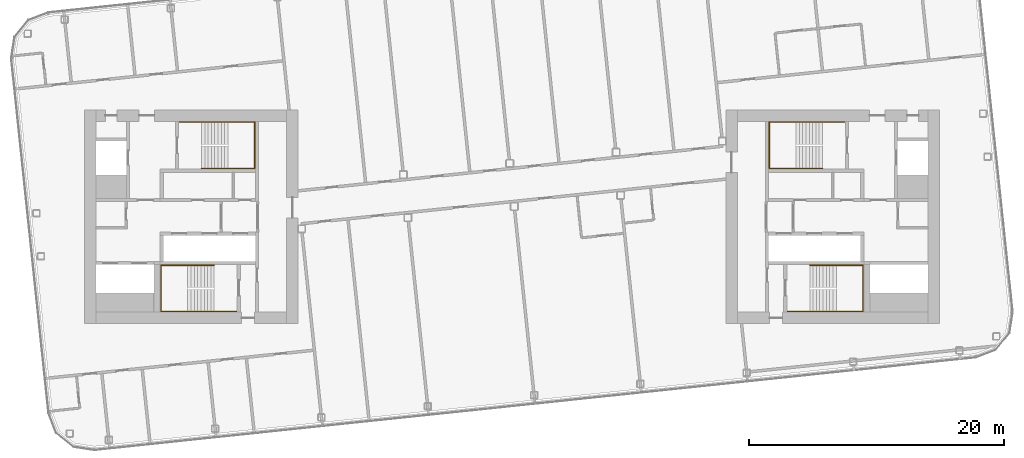
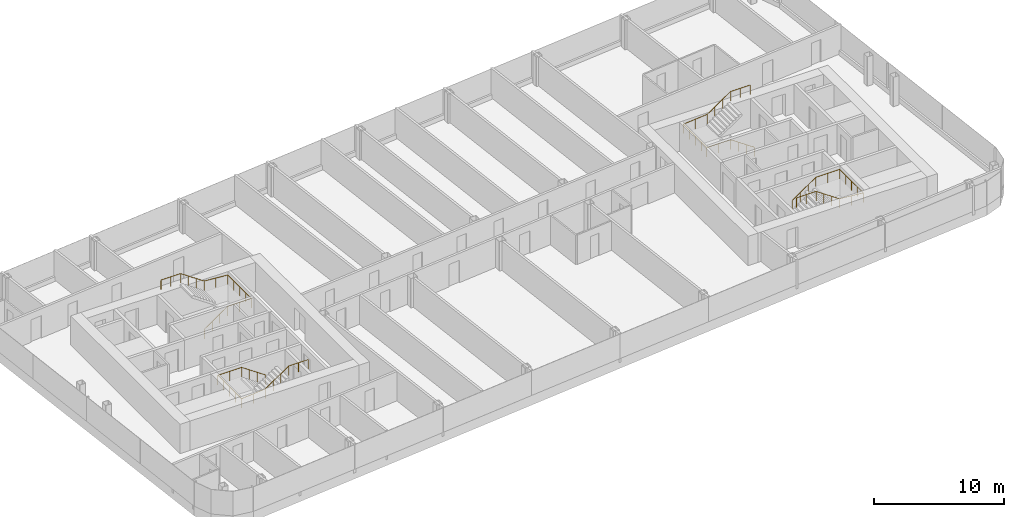
# One storey, part 27 of 27: 4 railings.
"""IFC4 building model written with IfcOpenShell, lengths in metres."""

from ifc_helpers import new_model, si_unit, direction, frame, origin, origin_2d, place, context, subcontext, project, spatial, circle, extrude, material, type_object, element, save


model = new_model("IFC4")

# Units and contexts
model_context = context("Model", 3, precision=1e-05, world=origin(), true_north=direction((0.0, 1.0)))
body_context = subcontext(model_context, "Body", "Model", "MODEL_VIEW")
ifc_project = project(units=[si_unit("LENGTHUNIT", "METRE"), si_unit("AREAUNIT", "SQUARE_METRE"), si_unit("VOLUMEUNIT", "CUBIC_METRE"), si_unit("PLANEANGLEUNIT", "RADIAN"), si_unit("MASSUNIT", "GRAM", prefix="KILO")], contexts=[model_context])

# Site, building, storey
site_placement = place(None, origin())
site = spatial("IfcSite", under=ifc_project, at=site_placement, CompositionType="ELEMENT")
building_placement = place(site_placement, origin())
building = spatial("IfcBuilding", under=site, at=building_placement, Name="Hakoniwa Tower and Hamabe Station Hall", CompositionType="ELEMENT")
storey_placement = place(building_placement, frame((0.0, 0.0, 239.0)))
storey = spatial("IfcBuildingStorey", under=building, at=storey_placement, Name="L67", CompositionType="ELEMENT", Elevation=239.0)

# Railings
ifc_material = material(Name="Stainless steel SUS304", Category="steel")
railing_type = type_object("IfcRailingType", Name="STAIR HANDRAIL 900", PredefinedType="HANDRAIL", material=ifc_material)
railing_1_placement = place(storey_placement, frame((-24.39990234375, 3.81005859375, 0.177734375)))
element("IfcRailing", 1, at=railing_1_placement, inside=storey, type_object=railing_type, Name="Handrail ST-1 L67 1", PredefinedType="HANDRAIL", context=body_context, shape_type="SweptSolid", body=[
    extrude(circle(Radius=0.02392578125, at=origin_2d()), frame((0.0, 0.0, 0.8759765625), z_axis=(0.825433201882, 0.0, 0.564499804456), x_axis=(0.0, 1.0, 0.0)), (0.0, 0.0, 1.0), 2.519775390625),
    extrude(circle(Radius=0.02392578125, at=origin_2d()), frame((2.079833984375, 0.0, 2.29833984375), z_axis=(1.0, 0.0, 0.0), x_axis=(0.0, 1.0, 0.0)), (0.0, 0.0, 1.0), 2.110107421875),
    extrude(circle(Radius=0.02392578125, at=origin_2d()), frame((4.18994140625, 0.0, 2.29833984375), z_axis=(0.0, 1.0, 0.0), x_axis=(-1.0, 0.0, 0.0)), (0.0, 0.0, 1.0), 3.6298828125),
    extrude(circle(Radius=0.02392578125, at=origin_2d()), frame((4.18994140625, 3.6298828125, 2.29833984375), z_axis=(-0.996471417081, 0.0, 0.083932800143), x_axis=(0.0, -1.0, 0.0)), (0.0, 0.0, 1.0), 2.11767578125),
    extrude(circle(Radius=0.02392578125, at=origin_2d()), frame((2.079833984375, 3.6298828125, 2.47607421875), z_axis=(-0.825478349766, 0.0, 0.564433781827), x_axis=(0.0, -1.0, 0.0)), (0.0, 0.0, 1.0), 2.51953125),
    extrude(circle(Radius=0.02392578125, at=origin_2d()), frame((0.0, 3.6298828125, 3.89794921875), z_axis=(-1.0, 0.0, 0.0), x_axis=(0.0, -1.0, 0.0)), (0.0, 0.0, 1.0), 1.739990234375),
    extrude(circle(Radius=0.02099609375, at=origin_2d()), origin(), (0.0, 0.0, 1.0), 0.851806640625),
    extrude(circle(Radius=0.02099609375, at=origin_2d()), frame((0.693359375, 0.0, 0.47412109375)), (0.0, 0.0, 1.0), 0.851806640625),
    extrude(circle(Radius=0.02099609375, at=origin_2d()), frame((1.386474609375, 0.0, 0.9482421875)), (0.0, 0.0, 1.0), 0.851806640625),
    extrude(circle(Radius=0.02099609375, at=origin_2d()), frame((2.079833984375, 0.0, 1.42236328125)), (0.0, 0.0, 1.0), 0.851806640625),
    extrude(circle(Radius=0.02099609375, at=origin_2d()), frame((3.134765625, 0.0, 1.42236328125)), (0.0, 0.0, 1.0), 0.851806640625),
    extrude(circle(Radius=0.02099609375, at=origin_2d()), frame((4.18994140625, 0.0, 1.42236328125)), (0.0, 0.0, 1.0), 0.851806640625),
    extrude(circle(Radius=0.02099609375, at=origin_2d()), frame((4.18994140625, 0.907470703125, 1.42236328125)), (0.0, 0.0, 1.0), 0.851806640625),
    extrude(circle(Radius=0.02099609375, at=origin_2d()), frame((4.18994140625, 1.81494140625, 1.42236328125)), (0.0, 0.0, 1.0), 0.851806640625),
    extrude(circle(Radius=0.02099609375, at=origin_2d()), frame((4.18994140625, 2.722412109375, 1.42236328125)), (0.0, 0.0, 1.0), 0.851806640625),
    extrude(circle(Radius=0.02099609375, at=origin_2d()), frame((4.18994140625, 3.6298828125, 1.42236328125)), (0.0, 0.0, 1.0), 0.851806640625),
    extrude(circle(Radius=0.02099609375, at=origin_2d()), frame((3.134765625, 3.6298828125, 1.51123046875)), (0.0, 0.0, 1.0), 0.851806640625),
    extrude(circle(Radius=0.02099609375, at=origin_2d()), frame((2.079833984375, 3.6298828125, 1.60009765625)), (0.0, 0.0, 1.0), 0.851806640625),
    extrude(circle(Radius=0.02099609375, at=origin_2d()), frame((1.386474609375, 3.6298828125, 2.07421875)), (0.0, 0.0, 1.0), 0.851806640625),
    extrude(circle(Radius=0.02099609375, at=origin_2d()), frame((0.693359375, 3.6298828125, 2.548095703125)), (0.0, 0.0, 1.0), 0.851806640625),
    extrude(circle(Radius=0.02099609375, at=origin_2d()), frame((0.0, 3.6298828125, 3.022216796875)), (0.0, 0.0, 1.0), 0.851806640625),
    extrude(circle(Radius=0.02099609375, at=origin_2d()), frame((-0.8701171875, 3.6298828125, 3.022216796875)), (0.0, 0.0, 1.0), 0.851806640625),
    extrude(circle(Radius=0.02099609375, at=origin_2d()), frame((-1.739990234375, 3.6298828125, 3.022216796875)), (0.0, 0.0, 1.0), 0.851806640625),
])
railing_2_placement = place(storey_placement, frame((-23.39990234375, -3.81005859375, 0.177734375)))
element("IfcRailing", 2, at=railing_2_placement, inside=storey, type_object=railing_type, Name="Handrail ST-2 L67 1", PredefinedType="HANDRAIL", context=body_context, shape_type="SweptSolid", body=[
    extrude(circle(Radius=0.02392578125, at=origin_2d()), frame((0.0, 0.0, 0.8759765625), z_axis=(-0.825464074169, 0.0, 0.564454659168), x_axis=(0.0, -1.0, 0.0)), (0.0, 0.0, 1.0), 2.519775390625),
    extrude(circle(Radius=0.02392578125, at=origin_2d()), frame((-2.080078125, 0.0, 2.29833984375), z_axis=(-1.0, 0.0, 0.0), x_axis=(0.0, -1.0, 0.0)), (0.0, 0.0, 1.0), 2.110107421875),
    extrude(circle(Radius=0.02392578125, at=origin_2d()), frame((-4.190185546875, 0.0, 2.29833984375), z_axis=(0.0, -1.0, 0.0), x_axis=(1.0, 0.0, 0.0)), (0.0, 0.0, 1.0), 3.6298828125),
    extrude(circle(Radius=0.02392578125, at=origin_2d()), frame((-4.190185546875, -3.6298828125, 2.29833984375), z_axis=(0.996471417081, 0.0, 0.083932800143), x_axis=(0.0, 1.0, 0.0)), (0.0, 0.0, 1.0), 2.11767578125),
    extrude(circle(Radius=0.02392578125, at=origin_2d()), frame((-2.080078125, -3.6298828125, 2.47607421875), z_axis=(0.82550921652, 0.0, 0.564388636881), x_axis=(0.0, 1.0, 0.0)), (0.0, 0.0, 1.0), 2.519775390625),
    extrude(circle(Radius=0.02392578125, at=origin_2d()), frame((0.0, -3.6298828125, 3.89794921875), z_axis=(1.0, 0.0, 0.0), x_axis=(0.0, 1.0, 0.0)), (0.0, 0.0, 1.0), 1.739990234375),
    extrude(circle(Radius=0.02099609375, at=origin_2d()), origin(), (0.0, 0.0, 1.0), 0.851806640625),
    extrude(circle(Radius=0.02099609375, at=origin_2d()), frame((-0.693359375, 0.0, 0.47412109375)), (0.0, 0.0, 1.0), 0.851806640625),
    extrude(circle(Radius=0.02099609375, at=origin_2d()), frame((-1.38671875, 0.0, 0.9482421875)), (0.0, 0.0, 1.0), 0.851806640625),
    extrude(circle(Radius=0.02099609375, at=origin_2d()), frame((-2.080078125, 0.0, 1.42236328125)), (0.0, 0.0, 1.0), 0.851806640625),
    extrude(circle(Radius=0.02099609375, at=origin_2d()), frame((-3.13525390625, 0.0, 1.42236328125)), (0.0, 0.0, 1.0), 0.851806640625),
    extrude(circle(Radius=0.02099609375, at=origin_2d()), frame((-4.190185546875, 0.0, 1.42236328125)), (0.0, 0.0, 1.0), 0.851806640625),
    extrude(circle(Radius=0.02099609375, at=origin_2d()), frame((-4.190185546875, -0.907470703125, 1.42236328125)), (0.0, 0.0, 1.0), 0.851806640625),
    extrude(circle(Radius=0.02099609375, at=origin_2d()), frame((-4.190185546875, -1.81494140625, 1.42236328125)), (0.0, 0.0, 1.0), 0.851806640625),
    extrude(circle(Radius=0.02099609375, at=origin_2d()), frame((-4.190185546875, -2.722412109375, 1.42236328125)), (0.0, 0.0, 1.0), 0.851806640625),
    extrude(circle(Radius=0.02099609375, at=origin_2d()), frame((-4.190185546875, -3.6298828125, 1.42236328125)), (0.0, 0.0, 1.0), 0.851806640625),
    extrude(circle(Radius=0.02099609375, at=origin_2d()), frame((-3.13525390625, -3.6298828125, 1.51123046875)), (0.0, 0.0, 1.0), 0.851806640625),
    extrude(circle(Radius=0.02099609375, at=origin_2d()), frame((-2.080078125, -3.6298828125, 1.60009765625)), (0.0, 0.0, 1.0), 0.851806640625),
    extrude(circle(Radius=0.02099609375, at=origin_2d()), frame((-1.38671875, -3.6298828125, 2.07421875)), (0.0, 0.0, 1.0), 0.851806640625),
    extrude(circle(Radius=0.02099609375, at=origin_2d()), frame((-0.693359375, -3.6298828125, 2.548095703125)), (0.0, 0.0, 1.0), 0.851806640625),
    extrude(circle(Radius=0.02099609375, at=origin_2d()), frame((0.0, -3.6298828125, 3.022216796875)), (0.0, 0.0, 1.0), 0.851806640625),
    extrude(circle(Radius=0.02099609375, at=origin_2d()), frame((0.8701171875, -3.6298828125, 3.022216796875)), (0.0, 0.0, 1.0), 0.851806640625),
    extrude(circle(Radius=0.02099609375, at=origin_2d()), frame((1.739990234375, -3.6298828125, 3.022216796875)), (0.0, 0.0, 1.0), 0.851806640625),
])
railing_3_placement = place(storey_placement, frame((24.39990234375, 3.81005859375, 0.177734375)))
element("IfcRailing", 3, at=railing_3_placement, inside=storey, type_object=railing_type, Name="Handrail ST-3 L67 1", PredefinedType="HANDRAIL", context=body_context, shape_type="SweptSolid", body=[
    extrude(circle(Radius=0.02392578125, at=origin_2d()), frame((0.0, 0.0, 0.8759765625), z_axis=(-0.825433201882, 0.0, 0.564499804456), x_axis=(0.0, -1.0, 0.0)), (0.0, 0.0, 1.0), 2.519775390625),
    extrude(circle(Radius=0.02392578125, at=origin_2d()), frame((-2.079833984375, 0.0, 2.29833984375), z_axis=(-1.0, 0.0, 0.0), x_axis=(0.0, -1.0, 0.0)), (0.0, 0.0, 1.0), 2.110107421875),
    extrude(circle(Radius=0.02392578125, at=origin_2d()), frame((-4.18994140625, 0.0, 2.29833984375), z_axis=(0.0, 1.0, 0.0), x_axis=(-1.0, 0.0, 0.0)), (0.0, 0.0, 1.0), 3.6298828125),
    extrude(circle(Radius=0.02392578125, at=origin_2d()), frame((-4.18994140625, 3.6298828125, 2.29833984375), z_axis=(0.996471417081, 0.0, 0.083932800143), x_axis=(0.0, 1.0, 0.0)), (0.0, 0.0, 1.0), 2.11767578125),
    extrude(circle(Radius=0.02392578125, at=origin_2d()), frame((-2.079833984375, 3.6298828125, 2.47607421875), z_axis=(0.825478349766, 0.0, 0.564433781827), x_axis=(0.0, 1.0, 0.0)), (0.0, 0.0, 1.0), 2.51953125),
    extrude(circle(Radius=0.02392578125, at=origin_2d()), frame((0.0, 3.6298828125, 3.89794921875), z_axis=(1.0, 0.0, 0.0), x_axis=(0.0, 1.0, 0.0)), (0.0, 0.0, 1.0), 1.739990234375),
    extrude(circle(Radius=0.02099609375, at=origin_2d()), origin(), (0.0, 0.0, 1.0), 0.851806640625),
    extrude(circle(Radius=0.02099609375, at=origin_2d()), frame((-0.693359375, 0.0, 0.47412109375)), (0.0, 0.0, 1.0), 0.851806640625),
    extrude(circle(Radius=0.02099609375, at=origin_2d()), frame((-1.386474609375, 0.0, 0.9482421875)), (0.0, 0.0, 1.0), 0.851806640625),
    extrude(circle(Radius=0.02099609375, at=origin_2d()), frame((-2.079833984375, 0.0, 1.42236328125)), (0.0, 0.0, 1.0), 0.851806640625),
    extrude(circle(Radius=0.02099609375, at=origin_2d()), frame((-3.134765625, 0.0, 1.42236328125)), (0.0, 0.0, 1.0), 0.851806640625),
    extrude(circle(Radius=0.02099609375, at=origin_2d()), frame((-4.18994140625, 0.0, 1.42236328125)), (0.0, 0.0, 1.0), 0.851806640625),
    extrude(circle(Radius=0.02099609375, at=origin_2d()), frame((-4.18994140625, 0.907470703125, 1.42236328125)), (0.0, 0.0, 1.0), 0.851806640625),
    extrude(circle(Radius=0.02099609375, at=origin_2d()), frame((-4.18994140625, 1.81494140625, 1.42236328125)), (0.0, 0.0, 1.0), 0.851806640625),
    extrude(circle(Radius=0.02099609375, at=origin_2d()), frame((-4.18994140625, 2.722412109375, 1.42236328125)), (0.0, 0.0, 1.0), 0.851806640625),
    extrude(circle(Radius=0.02099609375, at=origin_2d()), frame((-4.18994140625, 3.6298828125, 1.42236328125)), (0.0, 0.0, 1.0), 0.851806640625),
    extrude(circle(Radius=0.02099609375, at=origin_2d()), frame((-3.134765625, 3.6298828125, 1.51123046875)), (0.0, 0.0, 1.0), 0.851806640625),
    extrude(circle(Radius=0.02099609375, at=origin_2d()), frame((-2.079833984375, 3.6298828125, 1.60009765625)), (0.0, 0.0, 1.0), 0.851806640625),
    extrude(circle(Radius=0.02099609375, at=origin_2d()), frame((-1.386474609375, 3.6298828125, 2.07421875)), (0.0, 0.0, 1.0), 0.851806640625),
    extrude(circle(Radius=0.02099609375, at=origin_2d()), frame((-0.693359375, 3.6298828125, 2.548095703125)), (0.0, 0.0, 1.0), 0.851806640625),
    extrude(circle(Radius=0.02099609375, at=origin_2d()), frame((0.0, 3.6298828125, 3.022216796875)), (0.0, 0.0, 1.0), 0.851806640625),
    extrude(circle(Radius=0.02099609375, at=origin_2d()), frame((0.8701171875, 3.6298828125, 3.022216796875)), (0.0, 0.0, 1.0), 0.851806640625),
    extrude(circle(Radius=0.02099609375, at=origin_2d()), frame((1.739990234375, 3.6298828125, 3.022216796875)), (0.0, 0.0, 1.0), 0.851806640625),
])
railing_4_placement = place(storey_placement, frame((23.39990234375, -3.81005859375, 0.177734375)))
element("IfcRailing", 4, at=railing_4_placement, inside=storey, type_object=railing_type, Name="Handrail ST-4 L67 1", PredefinedType="HANDRAIL", context=body_context, shape_type="SweptSolid", body=[
    extrude(circle(Radius=0.02392578125, at=origin_2d()), frame((0.0, 0.0, 0.8759765625), z_axis=(0.825464074169, 0.0, 0.564454659168), x_axis=(0.0, 1.0, 0.0)), (0.0, 0.0, 1.0), 2.519775390625),
    extrude(circle(Radius=0.02392578125, at=origin_2d()), frame((2.080078125, 0.0, 2.29833984375), z_axis=(1.0, 0.0, 0.0), x_axis=(0.0, 1.0, 0.0)), (0.0, 0.0, 1.0), 2.110107421875),
    extrude(circle(Radius=0.02392578125, at=origin_2d()), frame((4.190185546875, 0.0, 2.29833984375), z_axis=(0.0, -1.0, 0.0), x_axis=(1.0, 0.0, 0.0)), (0.0, 0.0, 1.0), 3.6298828125),
    extrude(circle(Radius=0.02392578125, at=origin_2d()), frame((4.190185546875, -3.6298828125, 2.29833984375), z_axis=(-0.996471417081, 0.0, 0.083932800143), x_axis=(0.0, -1.0, 0.0)), (0.0, 0.0, 1.0), 2.11767578125),
    extrude(circle(Radius=0.02392578125, at=origin_2d()), frame((2.080078125, -3.6298828125, 2.47607421875), z_axis=(-0.82550921652, 0.0, 0.564388636881), x_axis=(0.0, -1.0, 0.0)), (0.0, 0.0, 1.0), 2.519775390625),
    extrude(circle(Radius=0.02392578125, at=origin_2d()), frame((0.0, -3.6298828125, 3.89794921875), z_axis=(-1.0, 0.0, 0.0), x_axis=(0.0, -1.0, 0.0)), (0.0, 0.0, 1.0), 1.739990234375),
    extrude(circle(Radius=0.02099609375, at=origin_2d()), origin(), (0.0, 0.0, 1.0), 0.851806640625),
    extrude(circle(Radius=0.02099609375, at=origin_2d()), frame((0.693359375, 0.0, 0.47412109375)), (0.0, 0.0, 1.0), 0.851806640625),
    extrude(circle(Radius=0.02099609375, at=origin_2d()), frame((1.38671875, 0.0, 0.9482421875)), (0.0, 0.0, 1.0), 0.851806640625),
    extrude(circle(Radius=0.02099609375, at=origin_2d()), frame((2.080078125, 0.0, 1.42236328125)), (0.0, 0.0, 1.0), 0.851806640625),
    extrude(circle(Radius=0.02099609375, at=origin_2d()), frame((3.13525390625, 0.0, 1.42236328125)), (0.0, 0.0, 1.0), 0.851806640625),
    extrude(circle(Radius=0.02099609375, at=origin_2d()), frame((4.190185546875, 0.0, 1.42236328125)), (0.0, 0.0, 1.0), 0.851806640625),
    extrude(circle(Radius=0.02099609375, at=origin_2d()), frame((4.190185546875, -0.907470703125, 1.42236328125)), (0.0, 0.0, 1.0), 0.851806640625),
    extrude(circle(Radius=0.02099609375, at=origin_2d()), frame((4.190185546875, -1.81494140625, 1.42236328125)), (0.0, 0.0, 1.0), 0.851806640625),
    extrude(circle(Radius=0.02099609375, at=origin_2d()), frame((4.190185546875, -2.722412109375, 1.42236328125)), (0.0, 0.0, 1.0), 0.851806640625),
    extrude(circle(Radius=0.02099609375, at=origin_2d()), frame((4.190185546875, -3.6298828125, 1.42236328125)), (0.0, 0.0, 1.0), 0.851806640625),
    extrude(circle(Radius=0.02099609375, at=origin_2d()), frame((3.13525390625, -3.6298828125, 1.51123046875)), (0.0, 0.0, 1.0), 0.851806640625),
    extrude(circle(Radius=0.02099609375, at=origin_2d()), frame((2.080078125, -3.6298828125, 1.60009765625)), (0.0, 0.0, 1.0), 0.851806640625),
    extrude(circle(Radius=0.02099609375, at=origin_2d()), frame((1.38671875, -3.6298828125, 2.07421875)), (0.0, 0.0, 1.0), 0.851806640625),
    extrude(circle(Radius=0.02099609375, at=origin_2d()), frame((0.693359375, -3.6298828125, 2.548095703125)), (0.0, 0.0, 1.0), 0.851806640625),
    extrude(circle(Radius=0.02099609375, at=origin_2d()), frame((0.0, -3.6298828125, 3.022216796875)), (0.0, 0.0, 1.0), 0.851806640625),
    extrude(circle(Radius=0.02099609375, at=origin_2d()), frame((-0.8701171875, -3.6298828125, 3.022216796875)), (0.0, 0.0, 1.0), 0.851806640625),
    extrude(circle(Radius=0.02099609375, at=origin_2d()), frame((-1.739990234375, -3.6298828125, 3.022216796875)), (0.0, 0.0, 1.0), 0.851806640625),
])

save(model, "model.ifc")
